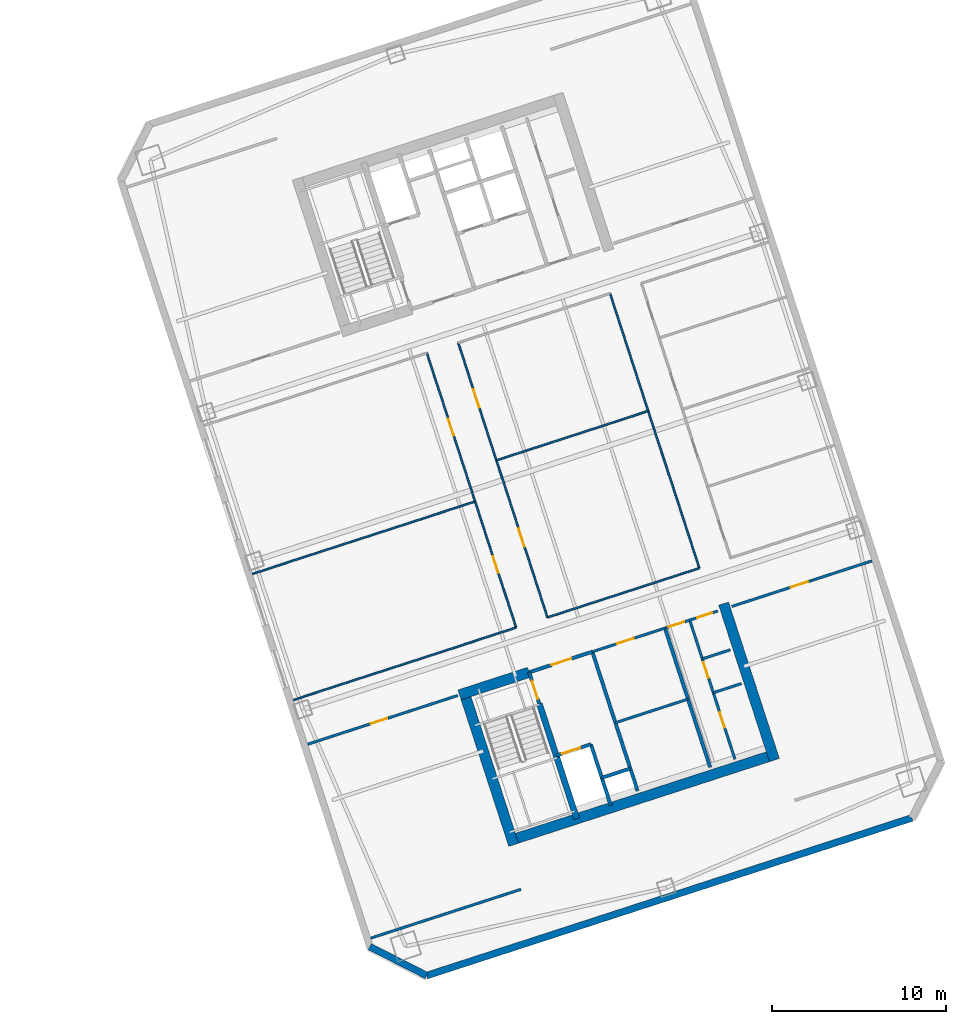
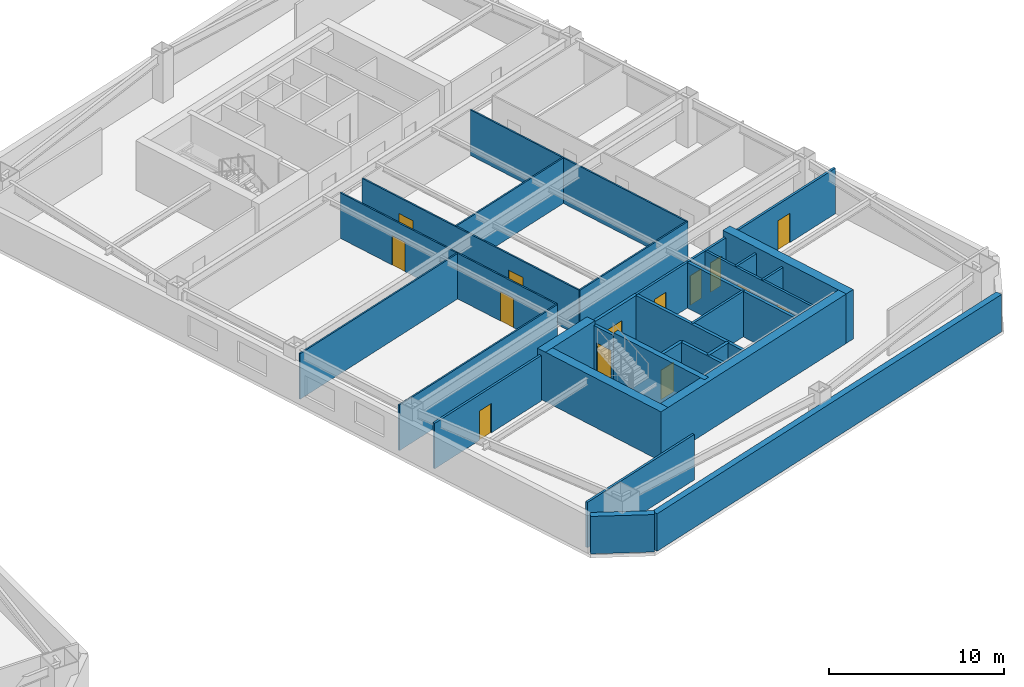
# One storey, part 6 of 10: 30 walls, 14 doors, 14 openings.
"""IFC4 building model written with IfcOpenShell, lengths in metres."""

from ifc_helpers import new_model, si_unit, direction, frame, frame_2d, origin, place, context, subcontext, project, spatial, rectangle, extrude, material, layer, layer_set, type_object, element, fill, save


model = new_model("IFC4")

# Units and contexts
model_context = context("Model", 3, precision=1e-05, world=origin(), true_north=direction((0.0, 1.0)))
body_context = subcontext(model_context, "Body", "Model", "MODEL_VIEW")
ifc_project = project(units=[si_unit("LENGTHUNIT", "METRE"), si_unit("AREAUNIT", "SQUARE_METRE"), si_unit("VOLUMEUNIT", "CUBIC_METRE"), si_unit("PLANEANGLEUNIT", "RADIAN"), si_unit("MASSUNIT", "GRAM", prefix="KILO")], contexts=[model_context])

# Site, building, storey
site_placement = place(None, origin())
site = spatial("IfcSite", under=ifc_project, at=site_placement, CompositionType="ELEMENT")
building_placement = place(site_placement, origin())
building = spatial("IfcBuilding", under=site, at=building_placement, Name="Qiaolan Cultural Towers", CompositionType="ELEMENT")
storey_placement = place(building_placement, frame((0.0, 0.0, 127.64990234375)))
storey = spatial("IfcBuildingStorey", under=building, at=storey_placement, Name="L33", CompositionType="ELEMENT", Elevation=127.64990234375)

# Walls
ifc_material_1 = material(Name="Concrete C50", Category="concrete")
ifc_layer_1 = layer(ifc_material_1, 0.35009765625)
ifc_layer_set_1 = layer_set([ifc_layer_1], Name="Concrete C50")
wall_type_1 = type_object("IfcWallType", Name="WL-CORE-350", PredefinedType="SHEAR", material=ifc_layer_set_1)
wall_1_placement = place(storey_placement, frame((90.486328125, 20.59423828125, 0.0), z_axis=(0.0, 0.0, 1.0), x_axis=(0.309020428229, -0.951055400562, 0.0)))
element("IfcWall", 1, at=wall_1_placement, inside=storey, type_object=wall_type_1, Name="L33 T2-CS Stair Core Dividing Web", PredefinedType="SHEAR", context=body_context, shape_type="SweptSolid", body=[
    extrude(rectangle(XDim=6.97998046875, YDim=0.35009765625, at=frame_2d((3.489990234375, 0.0))), origin(), (0.0, 0.0, 1.0), 3.4501953125),
])
ifc_material_2 = material(Name="Concrete C55", Category="concrete")
ifc_layer_2 = layer(ifc_material_2, 0.60009765625)
ifc_layer_set_2 = layer_set([ifc_layer_2], Name="Concrete C55")
wall_type_2 = type_object("IfcWallType", Name="WL-CORE-600", PredefinedType="SHEAR", material=ifc_layer_set_2)
wall_2_placement = place(storey_placement, frame((88.6298828125, 12.65185546875, 0.0), z_axis=(0.0, 0.0, 1.0), x_axis=(0.95105714907, 0.309015046886, 0.0)))
element("IfcWall", 2, at=wall_2_placement, inside=storey, type_object=wall_type_2, Name="L33 T2-CS Outer Core Shear Wall", PredefinedType="SHEAR", context=body_context, shape_type="SweptSolid", body=[
    extrude(rectangle(XDim=16.400146484375, YDim=0.60009765625, at=frame_2d((8.2001953125, 0.0))), origin(), (0.0, 0.0, 1.0), 3.4501953125),
])
wall_3_placement = place(storey_placement, frame((86.078369140625, 21.47509765625, 0.0), z_axis=(0.0, 0.0, 1.0), x_axis=(0.309017938678, -0.951056209472, 0.0)))
element("IfcWall", 3, at=wall_3_placement, inside=storey, type_object=wall_type_2, Name="L33 T2-CS West Core Shear Wall", PredefinedType="SHEAR", context=body_context, shape_type="SweptSolid", body=[
    extrude(rectangle(XDim=9.479736328125, YDim=0.60009765625, at=frame_2d((4.73974609375, 0.0))), origin(), (0.0, 0.0, 1.0), 3.4501953125),
])
wall_4_placement = place(storey_placement, frame((101.105224609375, 26.357666015625, 0.0), z_axis=(0.0, 0.0, 1.0), x_axis=(0.309010370028, -0.95105866865, 0.0)))
element("IfcWall", 4, at=wall_4_placement, inside=storey, type_object=wall_type_2, Name="L33 T2-CS East Core Shear Wall", PredefinedType="SHEAR", context=body_context, shape_type="SweptSolid", body=[
    extrude(rectangle(XDim=9.47998046875, YDim=0.60009765625, at=frame_2d((4.739990234375, 0.0))), origin(), (0.0, 0.0, 1.0), 3.4501953125),
])
wall_5_placement = place(storey_placement, frame((85.8857421875, 21.09716796875, 0.0), z_axis=(0.0, 0.0, 1.0), x_axis=(0.951068073652, 0.308981422225, 0.0)))
element("IfcWall", 5, at=wall_5_placement, inside=storey, type_object=wall_type_2, Name="L33 T2-CS Stair Front Shear Wall", PredefinedType="SHEAR", context=body_context, shape_type="SweptSolid", body=[
    extrude(rectangle(XDim=4.22021484375, YDim=0.60009765625, at=frame_2d((2.110107421875, 0.0))), origin(), (0.0, 0.0, 1.0), 3.4501953125),
])
ifc_material_3 = material(Name="Precast Concrete C50 Honed Stone Pier", Category="masonry")
ifc_layer_3 = layer(ifc_material_3, 0.39990234375)
ifc_layer_set_3 = layer_set([ifc_layer_3], Name="Precast Concrete C50 Honed Stone Pier")
wall_type_3 = type_object("IfcWallType", Name="WL-EXT-PIER-400", PredefinedType="SOLIDWALL", material=ifc_layer_set_3)
wall_6_placement = place(storey_placement, frame((111.953125, 14.00537109375, 0.0), z_axis=(0.0, 0.0, 1.0), x_axis=(-0.95105505922, -0.309021478754, 0.0)))
element("IfcWall", 6, at=wall_6_placement, inside=storey, type_object=wall_type_3, Name="L33 East Tower Precast Pier Facade Wall F7", PredefinedType="SOLIDWALL", context=body_context, shape_type="SweptSolid", body=[
    extrude(rectangle(XDim=29.39990234375, YDim=0.39990234375, at=frame_2d((14.699951171875, 0.0))), origin(), (0.0, 0.0, 1.0), 2.610107421875),
])
wall_7_placement = place(storey_placement, frame((83.9921875, 4.920166015625, 0.0), z_axis=(0.0, 0.0, 1.0), x_axis=(-0.891001999643, 0.45399937955, 0.0)))
element("IfcWall", 7, at=wall_7_placement, inside=storey, type_object=wall_type_3, Name="L33 East Tower Precast Pier Facade Wall F8", PredefinedType="SOLIDWALL", context=body_context, shape_type="SweptSolid", body=[
    extrude(rectangle(XDim=3.67724609375, YDim=0.39990234375, at=frame_2d((1.838623046875, 0.0))), origin(), (0.0, 0.0, 1.0), 2.610107421875),
])

# Wall, opening, door
ifc_material_4 = material(Name="Concrete C35 Fire Wall", Category="concrete")
ifc_layer_4 = layer(ifc_material_4, 0.199951171875)
ifc_layer_set_4 = layer_set([ifc_layer_4], Name="Concrete C35 Fire Wall")
wall_type_4 = type_object("IfcWallType", Name="WL-FIRE-200", PredefinedType="PARTITIONING", material=ifc_layer_set_4)
wall_8_placement = place(storey_placement, frame((89.8994140625, 22.401123046875, 0.0), z_axis=(0.0, 0.0, 1.0), x_axis=(0.308932062672, -0.951084108086, 0.0)))
wall_8 = element("IfcWall", 8, at=wall_8_placement, inside=storey, type_object=wall_type_4, Name="L33 T2-CS Smokeproof Stair Entry Wall", PredefinedType="PARTITIONING", context=body_context, shape_type="SweptSolid", body=[
    extrude(rectangle(XDim=1.89990234375, YDim=0.199951171875, at=frame_2d((0.949951171875, 0.0))), origin(), (0.0, 0.0, 1.0), 3.175048828125),
])
opening_1_placement = place(wall_8_placement, frame((0.52001953125, 0.0, 0.0)))
opening_1 = element("IfcOpeningElement", 9, at=opening_1_placement, cuts=wall_8, Name="Opening FD-04", PredefinedType="OPENING", context=body_context, shape_type="SweptSolid", body=[
    extrude(rectangle(XDim=1.10009765625, YDim=2.050048828125, at=frame_2d((0.550048828125, 1.02490234375))), frame((0.0, 0.10986328125, 0.0), z_axis=(0.0, -1.0, 0.0), x_axis=(1.0, 0.0, 0.0)), (0.0, 0.0, 1.0), 0.219970703125),
])
ifc_material_5 = material(Name="Galvanized Steel Command Fire Door", Category="steel")
door_type_1 = type_object("IfcDoorType", Name="DR-FD90-1100", OperationType="NOTDEFINED", PredefinedType="DOOR", material=ifc_material_5)
door_1_placement = place(opening_1_placement, origin())
door_1 = element("IfcDoor", 10, at=door_1_placement, inside=storey, type_object=door_type_1, Name="L33 ST-E1 Smokeproof Stair Fire Door", OperationType="SINGLE_SWING_LEFT", OverallHeight=2.050048828125, OverallWidth=1.10009765625, PredefinedType="DOOR", context=body_context, shape_type="SweptSolid", body=[
    extrude(rectangle(XDim=1.10009765625, YDim=2.050048828125, at=frame_2d((0.550048828125, 1.02490234375))), frame((0.0, 0.02490234375, 0.0), z_axis=(0.0, -1.0, 0.0), x_axis=(1.0, 0.0, 0.0)), (0.0, 0.0, 1.0), 0.050048828125),
])
fill(opening_1, door_1)

# Wall
wall_9_placement = place(storey_placement, frame((93.541748046875, 23.584716796875, 0.0), z_axis=(0.0, 0.0, 1.0), x_axis=(0.309042196757, -0.951048327176, 0.0)))
element("IfcWall", 11, at=wall_9_placement, inside=storey, type_object=wall_type_4, Name="L33 T2-CS Firefighting Zone Wall", PredefinedType="PARTITIONING", context=body_context, shape_type="SweptSolid", body=[
    extrude(rectangle(XDim=8.429931640625, YDim=0.199951171875, at=frame_2d((4.21484375, 0.0))), origin(), (0.0, 0.0, 1.0), 3.175048828125),
])

# Wall, opening, door
wall_10_placement = place(storey_placement, frame((89.8994140625, 22.401123046875, 0.0), z_axis=(0.0, 0.0, 1.0), x_axis=(0.951046716504, 0.309047153403, 0.0)))
wall_10 = element("IfcWall", 12, at=wall_10_placement, inside=storey, type_object=wall_type_4, Name="L33 T2-CS Firefighting Lobby Front Wall", PredefinedType="PARTITIONING", context=body_context, shape_type="SweptSolid", body=[
    extrude(rectangle(XDim=3.829833984375, YDim=0.199951171875, at=frame_2d((1.9150390625, 0.0))), origin(), (0.0, 0.0, 1.0), 3.175048828125),
])
opening_2_placement = place(wall_10_placement, frame((1.35009765625, 0.0, 0.0)))
opening_2 = element("IfcOpeningElement", 13, at=opening_2_placement, cuts=wall_10, Name="Opening FD-03", PredefinedType="OPENING", context=body_context, shape_type="SweptSolid", body=[
    extrude(rectangle(XDim=1.199951171875, YDim=2.050048828125, at=frame_2d((0.60009765625, 1.02490234375))), frame((0.0, 0.10986328125, 0.0), z_axis=(0.0, -1.0, 0.0), x_axis=(1.0, 0.0, 0.0)), (0.0, 0.0, 1.0), 0.219970703125),
])
ifc_material_6 = material(Name="Galvanized Steel Smokeproof Lobby Fire Door", Category="steel")
door_type_2 = type_object("IfcDoorType", Name="DR-FD90-1200", OperationType="NOTDEFINED", PredefinedType="DOOR", material=ifc_material_6)
door_2_placement = place(opening_2_placement, origin())
door_2 = element("IfcDoor", 14, at=door_2_placement, inside=storey, type_object=door_type_2, Name="L33 FFL-E1 Firefighting Lobby Fire Door", OperationType="SINGLE_SWING_LEFT", OverallHeight=2.050048828125, OverallWidth=1.199951171875, PredefinedType="DOOR", context=body_context, shape_type="SweptSolid", body=[
    extrude(rectangle(XDim=1.199951171875, YDim=2.050048828125, at=frame_2d((0.60009765625, 1.02490234375))), frame((0.0, 0.02490234375, 0.0), z_axis=(0.0, -1.0, 0.0), x_axis=(1.0, 0.0, 0.0)), (0.0, 0.0, 1.0), 0.050048828125),
])
fill(opening_2, door_2)

wall_11_placement = place(storey_placement, frame((91.459716796875, 17.598388671875, 0.0), z_axis=(0.0, 0.0, 1.0), x_axis=(0.951062257173, 0.308999325213, 0.0)))
wall_11 = element("IfcWall", 15, at=wall_11_placement, inside=storey, type_object=wall_type_4, Name="L33 T2-CS Firefighting Shaft Front Wall", PredefinedType="PARTITIONING", context=body_context, shape_type="SweptSolid", body=[
    extrude(rectangle(XDim=2.10009765625, YDim=0.199951171875, at=frame_2d((1.050048828125, 0.0))), origin(), (0.0, 0.0, 1.0), 3.175048828125),
])
opening_3_placement = place(wall_11_placement, frame((0.35009765625, 0.0, 0.0)))
opening_3 = element("IfcOpeningElement", 16, at=opening_3_placement, cuts=wall_11, Name="Opening LD-01", PredefinedType="OPENING", context=body_context, shape_type="SweptSolid", body=[
    extrude(rectangle(XDim=1.10009765625, YDim=2.050048828125, at=frame_2d((0.550048828125, 1.02490234375))), frame((0.0, 0.10986328125, 0.0), z_axis=(0.0, -1.0, 0.0), x_axis=(1.0, 0.0, 0.0)), (0.0, 0.0, 1.0), 0.219970703125),
])
ifc_material_7 = material(Name="Brushed Stainless Steel S30408 Centre-Parting Lift Landing Door", Category="steel")
door_type_3 = type_object("IfcDoorType", Name="DR-LIFT-1100", OperationType="NOTDEFINED", PredefinedType="DOOR", material=ifc_material_7)
door_3_placement = place(opening_3_placement, origin())
door_3 = element("IfcDoor", 17, at=door_3_placement, inside=storey, type_object=door_type_3, Name="L33 FFL-E1 Firefighting Lift Landing Door", OperationType="DOUBLE_DOOR_SLIDING", OverallHeight=2.050048828125, OverallWidth=1.10009765625, PredefinedType="DOOR", context=body_context, shape_type="SweptSolid", body=[
    extrude(rectangle(XDim=1.10009765625, YDim=2.050048828125, at=frame_2d((0.550048828125, 1.02490234375))), frame((0.0, 0.02490234375, 0.0), z_axis=(0.0, -1.0, 0.0), x_axis=(1.0, 0.0, 0.0)), (0.0, 0.0, 1.0), 0.050048828125),
])
fill(opening_3, door_3)

# Walls
wall_12_placement = place(storey_placement, frame((93.45703125, 18.247314453125, 0.0), z_axis=(0.0, 0.0, 1.0), x_axis=(0.3089935693, -0.951064127245, 0.0)))
element("IfcWall", 18, at=wall_12_placement, inside=storey, type_object=wall_type_4, Name="L33 T2-CS Firefighting Hoistway East Wall", PredefinedType="PARTITIONING", context=body_context, shape_type="SweptSolid", body=[
    extrude(rectangle(XDim=3.7001953125, YDim=0.199951171875, at=frame_2d((1.85009765625, 0.0))), origin(), (0.0, 0.0, 1.0), 3.175048828125),
])
wall_13_placement = place(storey_placement, frame((94.08447265625, 16.316650390625, 0.0), z_axis=(0.0, 0.0, 1.0), x_axis=(0.951041328149, 0.309063734775, 0.0)))
element("IfcWall", 19, at=wall_13_placement, inside=storey, type_object=wall_type_4, Name="L33 T2-CS Pressurization Shaft Front Wall", PredefinedType="PARTITIONING", context=body_context, shape_type="SweptSolid", body=[
    extrude(rectangle(XDim=1.72998046875, YDim=0.199951171875, at=frame_2d((0.864990234375, 0.0))), origin(), (0.0, 0.0, 1.0), 3.175048828125),
])
wall_14_placement = place(storey_placement, frame((97.7265625, 24.9443359375, 0.0), z_axis=(0.0, 0.0, 1.0), x_axis=(0.309016001439, -0.951056838919, 0.0)))
element("IfcWall", 20, at=wall_14_placement, inside=storey, type_object=wall_type_4, Name="L33 T2-CS Lift Core East Wall", PredefinedType="PARTITIONING", context=body_context, shape_type="SweptSolid", body=[
    extrude(rectangle(XDim=8.429931640625, YDim=0.199951171875, at=frame_2d((4.21484375, 0.0))), origin(), (0.0, 0.0, 1.0), 3.175048828125),
])
ifc_material_8 = material(Name="Acoustic Double-Glazed Partition Frame", Category="glass")
ifc_layer_5 = layer(ifc_material_8, 0.10009765625)
ifc_layer_set_5 = layer_set([ifc_layer_5], Name="Acoustic Double-Glazed Partition Frame")
wall_type_5 = type_object("IfcWallType", Name="WL-GLAZED-100", PredefinedType="MOVABLE", material=ifc_layer_set_5)
wall_15_placement = place(storey_placement, frame((76.307861328125, 20.802978515625, 0.0), z_axis=(0.0, 0.0, 1.0), x_axis=(0.951054001411, 0.309024734286, 0.0)))
element("IfcWall", 21, at=wall_15_placement, inside=storey, type_object=wall_type_5, Name="L33 T2 Interior Wall", PredefinedType="MOVABLE", context=body_context, shape_type="SweptSolid", body=[
    extrude(rectangle(XDim=13.500244140625, YDim=0.10009765625, at=frame_2d((6.75, 0.0))), origin(), (0.0, 0.0, 1.0), 3.175048828125),
])
wall_16_placement = place(storey_placement, frame((90.954345703125, 25.561767578125, 0.0), z_axis=(0.0, 0.0, 1.0), x_axis=(0.951052398814, 0.309029666393, 0.0)))
element("IfcWall", 22, at=wall_16_placement, inside=storey, type_object=wall_type_5, Name="L33 T2 Interior Wall", PredefinedType="MOVABLE", context=body_context, shape_type="SweptSolid", body=[
    extrude(rectangle(XDim=9.19970703125, YDim=0.10009765625, at=frame_2d((4.599853515625, 0.0))), origin(), (0.0, 0.0, 1.0), 3.175048828125),
])

# Wall, openings, doors
wall_17_placement = place(storey_placement, frame((89.147216796875, 24.974853515625, 0.0), z_axis=(0.0, 0.0, 1.0), x_axis=(-0.309022042254, 0.951054876125, 0.0)))
wall_17 = element("IfcWall", 23, at=wall_17_placement, inside=storey, type_object=wall_type_5, Name="L33 T2 Interior Wall", PredefinedType="MOVABLE", context=body_context, shape_type="SweptSolid", body=[
    extrude(rectangle(XDim=16.639892578125, YDim=0.10009765625, at=frame_2d((8.31982421875, 0.0))), origin(), (0.0, 0.0, 1.0), 3.175048828125),
])
opening_4_placement = place(wall_17_placement, frame((3.320068359375, 0.0, 0.0)))
opening_4 = element("IfcOpeningElement", 24, at=opening_4_placement, cuts=wall_17, Name="Opening ID-04", PredefinedType="OPENING", context=body_context, shape_type="SweptSolid", body=[
    extrude(rectangle(XDim=1.0, YDim=2.050048828125, at=frame_2d((0.5, 1.02490234375))), frame((0.0, 0.06005859375, 0.0), z_axis=(0.0, -1.0, 0.0), x_axis=(1.0, 0.0, 0.0)), (0.0, 0.0, 1.0), 0.1201171875),
])
opening_5_placement = place(wall_17_placement, frame((11.639892578125, 0.0, 0.0)))
opening_5 = element("IfcOpeningElement", 25, at=opening_5_placement, cuts=wall_17, Name="Opening ID-04", PredefinedType="OPENING", context=body_context, shape_type="SweptSolid", body=[
    extrude(rectangle(XDim=1.0, YDim=2.050048828125, at=frame_2d((0.5, 1.02490234375))), frame((0.0, 0.06005859375, 0.0), z_axis=(0.0, -1.0, 0.0), x_axis=(1.0, 0.0, 0.0)), (0.0, 0.0, 1.0), 0.1201171875),
])
ifc_material_9 = material(Name="Oak Veneer Acoustic Office Door", Category="timber")
door_type_4 = type_object("IfcDoorType", Name="DR-INT-1000", OperationType="NOTDEFINED", PredefinedType="DOOR", material=ifc_material_9)
door_4_placement = place(opening_4_placement, origin())
door_4 = element("IfcDoor", 26, at=door_4_placement, inside=storey, type_object=door_type_4, Name="L33 T2 Design Research Studio Door", OperationType="SINGLE_SWING_LEFT", OverallHeight=2.050048828125, OverallWidth=1.0, PredefinedType="DOOR", context=body_context, shape_type="SweptSolid", body=[
    extrude(rectangle(XDim=1.0, YDim=2.050048828125, at=frame_2d((0.5, 1.02490234375))), frame((0.0, 0.02490234375, 0.0), z_axis=(0.0, -1.0, 0.0), x_axis=(1.0, 0.0, 0.0)), (0.0, 0.0, 1.0), 0.050048828125),
])
fill(opening_4, door_4)
door_5_placement = place(opening_5_placement, origin())
door_5 = element("IfcDoor", 27, at=door_5_placement, inside=storey, type_object=door_type_4, Name="L33 T2 Design Research Studio Door", OperationType="SINGLE_SWING_RIGHT", OverallHeight=2.050048828125, OverallWidth=1.0, PredefinedType="DOOR", context=body_context, shape_type="SweptSolid", body=[
    extrude(rectangle(XDim=1.0, YDim=2.050048828125, at=frame_2d((0.5, 1.02490234375))), frame((0.0, 0.02490234375, 0.0), z_axis=(0.0, -1.0, 0.0), x_axis=(1.0, 0.0, 0.0)), (0.0, 0.0, 1.0), 0.050048828125),
])
fill(opening_5, door_5)

wall_18_placement = place(storey_placement, frame((90.954345703125, 25.561767578125, 0.0), z_axis=(0.0, 0.0, 1.0), x_axis=(-0.30901773025, 0.951056277195, 0.0)))
wall_18 = element("IfcWall", 28, at=wall_18_placement, inside=storey, type_object=wall_type_5, Name="L33 T2 Interior Wall", PredefinedType="MOVABLE", context=body_context, shape_type="SweptSolid", body=[
    extrude(rectangle(XDim=16.64013671875, YDim=0.10009765625, at=frame_2d((8.320068359375, 0.0))), origin(), (0.0, 0.0, 1.0), 3.175048828125),
])
opening_6_placement = place(wall_18_placement, frame((4.283935546875, 0.0, 0.0)))
opening_6 = element("IfcOpeningElement", 29, at=opening_6_placement, cuts=wall_18, Name="Opening ID-03", PredefinedType="OPENING", context=body_context, shape_type="SweptSolid", body=[
    extrude(rectangle(XDim=1.10009765625, YDim=2.050048828125, at=frame_2d((0.550048828125, 1.02490234375))), frame((0.0, 0.06005859375, 0.0), z_axis=(0.0, -1.0, 0.0), x_axis=(1.0, 0.0, 0.0)), (0.0, 0.0, 1.0), 0.1201171875),
])
opening_7_placement = place(wall_18_placement, frame((12.72412109375, 0.0, 0.0)))
opening_7 = element("IfcOpeningElement", 30, at=opening_7_placement, cuts=wall_18, Name="Opening ID-03", PredefinedType="OPENING", context=body_context, shape_type="SweptSolid", body=[
    extrude(rectangle(XDim=1.10009765625, YDim=2.050048828125, at=frame_2d((0.550048828125, 1.02490234375))), frame((0.0, 0.06005859375, 0.0), z_axis=(0.0, -1.0, 0.0), x_axis=(1.0, 0.0, 0.0)), (0.0, 0.0, 1.0), 0.1201171875),
])
ifc_material_10 = material(Name="Oak Veneer Solid-Core Boardroom Door", Category="timber")
door_type_5 = type_object("IfcDoorType", Name="DR-INT-1100", OperationType="NOTDEFINED", PredefinedType="DOOR", material=ifc_material_10)
door_6_placement = place(opening_6_placement, origin())
door_6 = element("IfcDoor", 31, at=door_6_placement, inside=storey, type_object=door_type_5, Name="L33 T2 Central Boardroom Door", OperationType="SINGLE_SWING_LEFT", OverallHeight=2.050048828125, OverallWidth=1.10009765625, PredefinedType="DOOR", context=body_context, shape_type="SweptSolid", body=[
    extrude(rectangle(XDim=1.10009765625, YDim=2.050048828125, at=frame_2d((0.550048828125, 1.02490234375))), frame((0.0, 0.02490234375, 0.0), z_axis=(0.0, -1.0, 0.0), x_axis=(1.0, 0.0, 0.0)), (0.0, 0.0, 1.0), 0.050048828125),
])
fill(opening_6, door_6)
door_7_placement = place(opening_7_placement, origin())
door_7 = element("IfcDoor", 32, at=door_7_placement, inside=storey, type_object=door_type_5, Name="L33 T2 Central Archive Salon Door", OperationType="SINGLE_SWING_RIGHT", OverallHeight=2.050048828125, OverallWidth=1.10009765625, PredefinedType="DOOR", context=body_context, shape_type="SweptSolid", body=[
    extrude(rectangle(XDim=1.10009765625, YDim=2.050048828125, at=frame_2d((0.550048828125, 1.02490234375))), frame((0.0, 0.02490234375, 0.0), z_axis=(0.0, -1.0, 0.0), x_axis=(1.0, 0.0, 0.0)), (0.0, 0.0, 1.0), 0.050048828125),
])
fill(opening_7, door_7)

# Walls
wall_19_placement = place(storey_placement, frame((99.703857421875, 28.40478515625, 0.0), z_axis=(0.0, 0.0, 1.0), x_axis=(-0.309004459387, 0.951060589068, 0.0)))
element("IfcWall", 33, at=wall_19_placement, inside=storey, type_object=wall_type_5, Name="L33 T2 Interior Wall", PredefinedType="MOVABLE", context=body_context, shape_type="SweptSolid", body=[
    extrude(rectangle(XDim=16.64013671875, YDim=0.10009765625, at=frame_2d((8.320068359375, 0.0))), origin(), (0.0, 0.0, 1.0), 3.175048828125),
])
wall_20_placement = place(storey_placement, frame((88.012451171875, 34.615966796875, 0.0), z_axis=(0.0, 0.0, 1.0), x_axis=(0.951054933035, 0.309021867106, 0.0)))
element("IfcWall", 34, at=wall_20_placement, inside=storey, type_object=wall_type_5, Name="L33 T2 Interior Wall", PredefinedType="MOVABLE", context=body_context, shape_type="SweptSolid", body=[
    extrude(rectangle(XDim=9.199951171875, YDim=0.10009765625, at=frame_2d((4.60009765625, 0.0))), origin(), (0.0, 0.0, 1.0), 3.175048828125),
])
wall_21_placement = place(storey_placement, frame((73.947021484375, 28.069091796875, 0.0), z_axis=(0.0, 0.0, 1.0), x_axis=(0.951059316265, 0.309008376821, 0.0)))
element("IfcWall", 35, at=wall_21_placement, inside=storey, type_object=wall_type_5, Name="L33 T2 Interior Wall", PredefinedType="MOVABLE", context=body_context, shape_type="SweptSolid", body=[
    extrude(rectangle(XDim=13.5, YDim=0.10009765625, at=frame_2d((6.75, 0.0))), origin(), (0.0, 0.0, 1.0), 3.175048828125),
])

# Wall, opening, door
ifc_material_11 = material(Name="Autoclaved Aerated Concrete Block B06", Category="concrete")
ifc_layer_6 = layer(ifc_material_11, 0.14990234375)
ifc_layer_set_6 = layer_set([ifc_layer_6], Name="Autoclaved Aerated Concrete Block B06")
wall_type_6 = type_object("IfcWallType", Name="WL-PART-150", PredefinedType="PARTITIONING", material=ifc_layer_set_6)
wall_22_placement = place(storey_placement, frame((93.541748046875, 23.584716796875, 0.0), z_axis=(0.0, 0.0, 1.0), x_axis=(0.951063829732, 0.308994485023, 0.0)))
wall_22 = element("IfcWall", 36, at=wall_22_placement, inside=storey, type_object=wall_type_6, Name="L33 T2-CS Reclaimed Core Room Front Wall", PredefinedType="PARTITIONING", context=body_context, shape_type="SweptSolid", body=[
    extrude(rectangle(XDim=4.400146484375, YDim=0.14990234375, at=frame_2d((2.2001953125, 0.0))), origin(), (0.0, 0.0, 1.0), 3.175048828125),
])
opening_8_placement = place(wall_22_placement, frame((1.5, 0.0, 0.0)))
opening_8 = element("IfcOpeningElement", 37, at=opening_8_placement, cuts=wall_22, Name="Opening ID-04", PredefinedType="OPENING", context=body_context, shape_type="SweptSolid", body=[
    extrude(rectangle(XDim=1.0, YDim=2.050048828125, at=frame_2d((0.5, 1.02490234375))), frame((0.0, 0.0849609375, 0.0), z_axis=(0.0, -1.0, 0.0), x_axis=(1.0, 0.0, 0.0)), (0.0, 0.0, 1.0), 0.169921875),
])
door_8_placement = place(opening_8_placement, origin())
door_8 = element("IfcDoor", 38, at=door_8_placement, inside=storey, type_object=door_type_4, Name="L33 Focus Pod Room Door", OperationType="SINGLE_SWING_LEFT", OverallHeight=2.050048828125, OverallWidth=1.0, PredefinedType="DOOR", context=body_context, shape_type="SweptSolid", body=[
    extrude(rectangle(XDim=1.0, YDim=2.050048828125, at=frame_2d((0.5, 1.02490234375))), frame((0.0, 0.02490234375, 0.0), z_axis=(0.0, -1.0, 0.0), x_axis=(1.0, 0.0, 0.0)), (0.0, 0.0, 1.0), 0.050048828125),
])
fill(opening_8, door_8)

# Wall
wall_23_placement = place(storey_placement, frame((94.87060546875, 19.4951171875, 0.0), z_axis=(0.0, 0.0, 1.0), x_axis=(0.951042223598, 0.309060979314, 0.0)))
element("IfcWall", 39, at=wall_23_placement, inside=storey, type_object=wall_type_6, Name="L33 T2-CS Reclaimed Room Subdivider", PredefinedType="PARTITIONING", context=body_context, shape_type="SweptSolid", body=[
    extrude(rectangle(XDim=4.39990234375, YDim=0.14990234375, at=frame_2d((2.199951171875, 0.0))), origin(), (0.0, 0.0, 1.0), 3.175048828125),
])

# Wall, openings, doors
wall_24_placement = place(storey_placement, frame((97.7265625, 24.9443359375, 0.0), z_axis=(0.0, 0.0, 1.0), x_axis=(0.951036872128, 0.309077446369, 0.0)))
wall_24 = element("IfcWall", 40, at=wall_24_placement, inside=storey, type_object=wall_type_6, Name="L33 T2-CS Sanitary Core Front Wall", PredefinedType="PARTITIONING", context=body_context, shape_type="SweptSolid", body=[
    extrude(rectangle(XDim=3.199951171875, YDim=0.14990234375, at=frame_2d((1.60009765625, 0.0))), origin(), (0.0, 0.0, 1.0), 3.175048828125),
])
opening_9_placement = place(wall_24_placement, frame((0.219970703125, 0.0, 0.0)))
opening_9 = element("IfcOpeningElement", 41, at=opening_9_placement, cuts=wall_24, Name="Opening ID-05", PredefinedType="OPENING", context=body_context, shape_type="SweptSolid", body=[
    extrude(rectangle(XDim=0.949951171875, YDim=2.050048828125, at=frame_2d((0.47509765625, 1.02490234375))), frame((0.0, 0.0849609375, 0.0), z_axis=(0.0, -1.0, 0.0), x_axis=(1.0, 0.0, 0.0)), (0.0, 0.0, 1.0), 0.169921875),
])
opening_10_placement = place(wall_24_placement, frame((1.949951171875, 0.0, 0.0)))
opening_10 = element("IfcOpeningElement", 42, at=opening_10_placement, cuts=wall_24, Name="Opening ID-06", PredefinedType="OPENING", context=body_context, shape_type="SweptSolid", body=[
    extrude(rectangle(XDim=0.89990234375, YDim=2.050048828125, at=frame_2d((0.449951171875, 1.02490234375))), frame((0.0, 0.0849609375, 0.0), z_axis=(0.0, -1.0, 0.0), x_axis=(1.0, 0.0, 0.0)), (0.0, 0.0, 1.0), 0.169921875),
])
ifc_material_12 = material(Name="Fire-Rated Laminate Core Service Door", Category="timber")
door_type_6 = type_object("IfcDoorType", Name="DR-INT-900", OperationType="NOTDEFINED", PredefinedType="DOOR", material=ifc_material_12)
door_9_placement = place(opening_10_placement, origin())
door_9 = element("IfcDoor", 43, at=door_9_placement, inside=storey, type_object=door_type_6, Name="L33 Core Tea Pantry Door", OperationType="SINGLE_SWING_RIGHT", OverallHeight=2.050048828125, OverallWidth=0.89990234375, PredefinedType="DOOR", context=body_context, shape_type="SweptSolid", body=[
    extrude(rectangle(XDim=0.89990234375, YDim=2.050048828125, at=frame_2d((0.449951171875, 1.02490234375))), frame((0.0, 0.02490234375, 0.0), z_axis=(0.0, -1.0, 0.0), x_axis=(1.0, 0.0, 0.0)), (0.0, 0.0, 1.0), 0.050048828125),
])
fill(opening_10, door_9)
ifc_material_13 = material(Name="Fire-Rated Laminate Accessible Core Door", Category="timber")
door_type_7 = type_object("IfcDoorType", Name="DR-INT-950", OperationType="NOTDEFINED", PredefinedType="DOOR", material=ifc_material_13)
door_10_placement = place(opening_9_placement, origin())
door_10 = element("IfcDoor", 44, at=door_10_placement, inside=storey, type_object=door_type_7, Name="L33 Sanitary Passage Door", OperationType="SINGLE_SWING_LEFT", OverallHeight=2.050048828125, OverallWidth=0.949951171875, PredefinedType="DOOR", context=body_context, shape_type="SweptSolid", body=[
    extrude(rectangle(XDim=0.949951171875, YDim=2.050048828125, at=frame_2d((0.47509765625, 1.02490234375))), frame((0.0, 0.02490234375, 0.0), z_axis=(0.0, -1.0, 0.0), x_axis=(1.0, 0.0, 0.0)), (0.0, 0.0, 1.0), 0.050048828125),
])
fill(opening_9, door_10)

wall_25_placement = place(storey_placement, frame((99.153076171875, 25.407958984375, 0.0), z_axis=(0.0, 0.0, 1.0), x_axis=(0.309016001439, -0.951056838919, 0.0)))
wall_25 = element("IfcWall", 45, at=wall_25_placement, inside=storey, type_object=wall_type_6, Name="L33 T2-CS Sanitary Corridor Wall", PredefinedType="PARTITIONING", context=body_context, shape_type="SweptSolid", body=[
    extrude(rectangle(XDim=8.429931640625, YDim=0.14990234375, at=frame_2d((4.21484375, 0.0))), origin(), (0.0, 0.0, 1.0), 3.175048828125),
])
opening_11_placement = place(wall_25_placement, frame((2.550048828125, 0.0, 0.0)))
opening_11 = element("IfcOpeningElement", 46, at=opening_11_placement, cuts=wall_25, Name="Opening ID-05", PredefinedType="OPENING", context=body_context, shape_type="SweptSolid", body=[
    extrude(rectangle(XDim=0.949951171875, YDim=2.050048828125, at=frame_2d((0.47509765625, 1.02490234375))), frame((0.0, 0.0849609375, 0.0), z_axis=(0.0, -1.0, 0.0), x_axis=(1.0, 0.0, 0.0)), (0.0, 0.0, 1.0), 0.169921875),
])
opening_12_placement = place(wall_25_placement, frame((5.60009765625, 0.0, 0.0)))
opening_12 = element("IfcOpeningElement", 47, at=opening_12_placement, cuts=wall_25, Name="Opening ID-06", PredefinedType="OPENING", context=body_context, shape_type="SweptSolid", body=[
    extrude(rectangle(XDim=0.89990234375, YDim=2.050048828125, at=frame_2d((0.449951171875, 1.02490234375))), frame((0.0, 0.0849609375, 0.0), z_axis=(0.0, -1.0, 0.0), x_axis=(1.0, 0.0, 0.0)), (0.0, 0.0, 1.0), 0.169921875),
])
door_11_placement = place(opening_12_placement, origin())
door_11 = element("IfcDoor", 48, at=door_11_placement, inside=storey, type_object=door_type_6, Name="L33 Staff Restroom Door", OperationType="SINGLE_SWING_RIGHT", OverallHeight=2.050048828125, OverallWidth=0.89990234375, PredefinedType="DOOR", context=body_context, shape_type="SweptSolid", body=[
    extrude(rectangle(XDim=0.89990234375, YDim=2.050048828125, at=frame_2d((0.449951171875, 1.02490234375))), frame((0.0, 0.02490234375, 0.0), z_axis=(0.0, -1.0, 0.0), x_axis=(1.0, 0.0, 0.0)), (0.0, 0.0, 1.0), 0.050048828125),
])
fill(opening_12, door_11)
door_12_placement = place(opening_11_placement, origin())
door_12 = element("IfcDoor", 49, at=door_12_placement, inside=storey, type_object=door_type_7, Name="L33 Accessible Washroom Door", OperationType="SINGLE_SWING_LEFT", OverallHeight=2.050048828125, OverallWidth=0.949951171875, PredefinedType="DOOR", context=body_context, shape_type="SweptSolid", body=[
    extrude(rectangle(XDim=0.949951171875, YDim=2.050048828125, at=frame_2d((0.47509765625, 1.02490234375))), frame((0.0, 0.02490234375, 0.0), z_axis=(0.0, -1.0, 0.0), x_axis=(1.0, 0.0, 0.0)), (0.0, 0.0, 1.0), 0.050048828125),
])
fill(opening_11, door_12)

# Walls
for number, where, z_axis, x_axis, name in (
    (50, (100.5126953125, 21.223388671875, 0.0), (0.0, 0.0, 1.0), (0.951096313471, 0.308894484414, 0.0), "L33 T2-CS Restroom Split Wall"),
    (51, (99.879150390625, 23.1728515625, 0.0), (0.0, 0.0, 1.0), (0.951054116971, 0.309024378638, 0.0), "L33 T2-CS Core Pantry Wall"),
):
    element("IfcWall", number, at=place(storey_placement, frame(where, z_axis=z_axis, x_axis=x_axis)), inside=storey, type_object=wall_type_6, Name=name, PredefinedType="PARTITIONING", context=body_context, shape_type="SweptSolid", body=[
        extrude(rectangle(XDim=1.7001953125, YDim=0.14990234375, at=frame_2d((0.85009765625, 0.0))), origin(), (0.0, 0.0, 1.0), 3.175048828125),
    ])
wall_26_placement = place(storey_placement, frame((80.76708984375, 7.079345703125, 0.0), z_axis=(0.0, 0.0, 1.0), x_axis=(0.951057133767, 0.309015093986, 0.0)))
element("IfcWall", 52, at=wall_26_placement, inside=storey, type_object=wall_type_6, Name="L33 T2 Flank Wall FLK-SW", PredefinedType="PARTITIONING", context=body_context, shape_type="SweptSolid", body=[
    extrude(rectangle(XDim=9.099853515625, YDim=0.14990234375, at=frame_2d((4.5498046875, 0.0))), origin(), (0.0, 0.0, 1.0), 3.175048828125),
])

# Wall, opening, door
wall_27_placement = place(storey_placement, frame((77.13623046875, 18.254150390625, 0.0), z_axis=(0.0, 0.0, 1.0), x_axis=(0.951057133767, 0.309015093986, 0.0)))
wall_27 = element("IfcWall", 53, at=wall_27_placement, inside=storey, type_object=wall_type_6, Name="L33 T2 Flank Front FLK-SW", PredefinedType="PARTITIONING", context=body_context, shape_type="SweptSolid", body=[
    extrude(rectangle(XDim=9.099853515625, YDim=0.14990234375, at=frame_2d((4.5498046875, 0.0))), origin(), (0.0, 0.0, 1.0), 3.175048828125),
])
opening_13_placement = place(wall_27_placement, frame((3.822021484375, 0.0, 0.0)))
opening_13 = element("IfcOpeningElement", 54, at=opening_13_placement, cuts=wall_27, Name="Opening ID-04", PredefinedType="OPENING", context=body_context, shape_type="SweptSolid", body=[
    extrude(rectangle(XDim=1.0, YDim=2.050048828125, at=frame_2d((0.5, 1.02490234375))), frame((0.0, 0.0849609375, 0.0), z_axis=(0.0, -1.0, 0.0), x_axis=(1.0, 0.0, 0.0)), (0.0, 0.0, 1.0), 0.169921875),
])
door_13_placement = place(opening_13_placement, origin())
door_13 = element("IfcDoor", 55, at=door_13_placement, inside=storey, type_object=door_type_4, Name="L33 T2 Corner Studio Door", OperationType="SINGLE_SWING_LEFT", OverallHeight=2.050048828125, OverallWidth=1.0, PredefinedType="DOOR", context=body_context, shape_type="SweptSolid", body=[
    extrude(rectangle(XDim=1.0, YDim=2.050048828125, at=frame_2d((0.5, 1.02490234375))), frame((0.0, 0.02490234375, 0.0), z_axis=(0.0, -1.0, 0.0), x_axis=(1.0, 0.0, 0.0)), (0.0, 0.0, 1.0), 0.050048828125),
])
fill(opening_13, door_13)

wall_28_placement = place(storey_placement, frame((101.578369140625, 26.196044921875, 0.0), z_axis=(0.0, 0.0, 1.0), x_axis=(0.951062770994, 0.308997743729, 0.0)))
wall_28 = element("IfcWall", 56, at=wall_28_placement, inside=storey, type_object=wall_type_6, Name="L33 T2 Flank Front FLK-SE", PredefinedType="PARTITIONING", context=body_context, shape_type="SweptSolid", body=[
    extrude(rectangle(XDim=8.5, YDim=0.14990234375, at=frame_2d((4.25, 0.0))), origin(), (0.0, 0.0, 1.0), 3.175048828125),
])
opening_14_placement = place(wall_28_placement, frame((3.570068359375, 0.0, 0.0)))
opening_14 = element("IfcOpeningElement", 57, at=opening_14_placement, cuts=wall_28, Name="Opening ID-07", PredefinedType="OPENING", context=body_context, shape_type="SweptSolid", body=[
    extrude(rectangle(XDim=1.050048828125, YDim=2.050048828125, at=frame_2d((0.52490234375, 1.02490234375))), frame((0.0, 0.0849609375, 0.0), z_axis=(0.0, -1.0, 0.0), x_axis=(1.0, 0.0, 0.0)), (0.0, 0.0, 1.0), 0.169921875),
])
ifc_material_14 = material(Name="Oak Veneer Consultation Door", Category="timber")
door_type_8 = type_object("IfcDoorType", Name="DR-INT-1050", OperationType="NOTDEFINED", PredefinedType="DOOR", material=ifc_material_14)
door_14_placement = place(opening_14_placement, origin())
door_14 = element("IfcDoor", 58, at=door_14_placement, inside=storey, type_object=door_type_8, Name="L33 T2 Corner Studio Door", OperationType="SINGLE_SWING_LEFT", OverallHeight=2.050048828125, OverallWidth=1.050048828125, PredefinedType="DOOR", context=body_context, shape_type="SweptSolid", body=[
    extrude(rectangle(XDim=1.050048828125, YDim=2.050048828125, at=frame_2d((0.52490234375, 1.02490234375))), frame((0.0, 0.02490234375, 0.0), z_axis=(0.0, -1.0, 0.0), x_axis=(1.0, 0.0, 0.0)), (0.0, 0.0, 1.0), 0.050048828125),
])
fill(opening_14, door_14)

save(model, "model.ifc")
